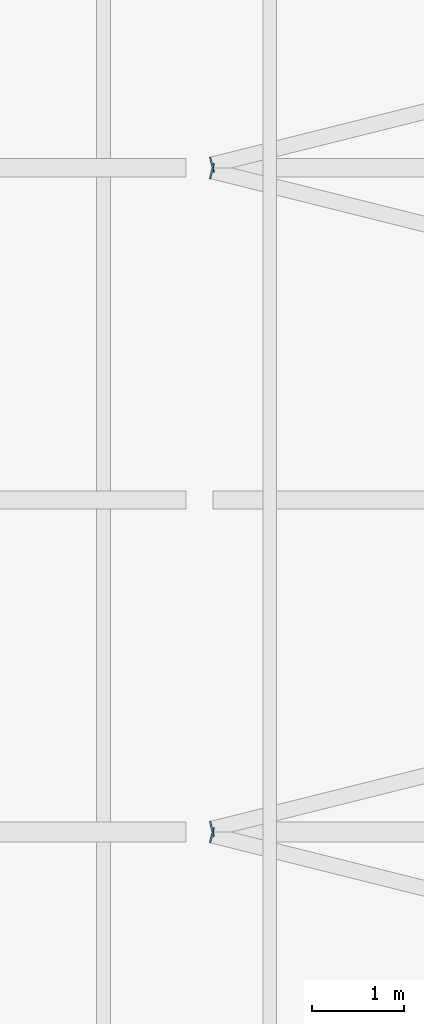
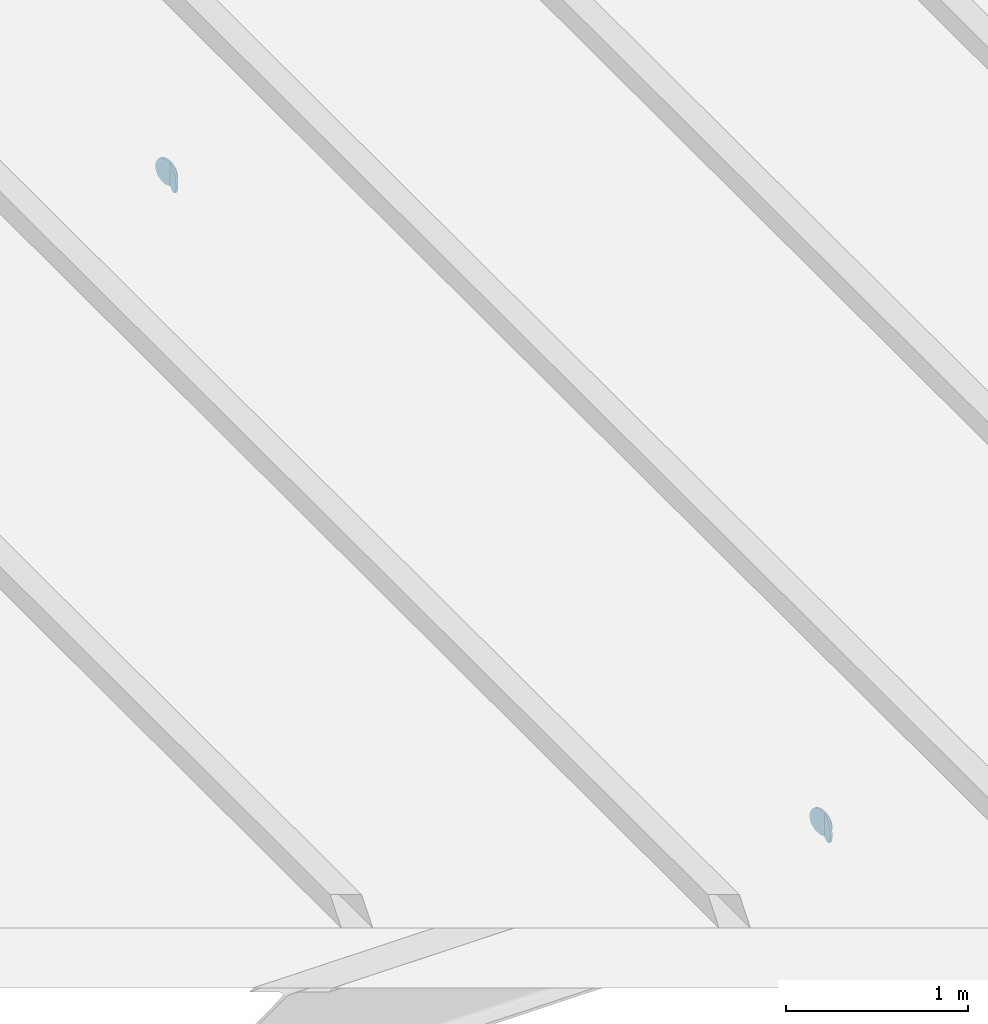
# One storey, part 110 of 120: 4 discrete accessories.
"""IFC4 building model written with IfcOpenShell, lengths in metres."""

from ifc_helpers import new_model, si_unit, direction, frame, origin, origin_2d, place, context, subcontext, project, spatial, circle, extrude, material, layer, layer_set, type_object, element, save


model = new_model("IFC4")

# Units and contexts
model_context = context("Model", 3, precision=1e-05, world=origin(), true_north=direction((0.0, 1.0)))
body_context = subcontext(model_context, "Body", "Model", "MODEL_VIEW")
ifc_project = project(units=[si_unit("LENGTHUNIT", "METRE"), si_unit("AREAUNIT", "SQUARE_METRE"), si_unit("VOLUMEUNIT", "CUBIC_METRE"), si_unit("PLANEANGLEUNIT", "RADIAN"), si_unit("MASSUNIT", "GRAM", prefix="KILO")], contexts=[model_context])

# Site, building, storey
site_placement = place(None, origin())
site = spatial("IfcSite", under=ifc_project, at=site_placement, CompositionType="ELEMENT")
building_placement = place(site_placement, origin())
building = spatial("IfcBuilding", under=site, at=building_placement, Name="Kupolbacken Congress Centre", CompositionType="ELEMENT")
storey_placement = place(building_placement, frame((0.0, 0.0, 21.60009765625)))
storey = spatial("IfcBuildingStorey", under=building, at=storey_placement, Name="L06", CompositionType="ELEMENT", Elevation=21.60009765625)

# Discrete accessories
ifc_material = material(Name="Steel S355", Category="steel")
ifc_layer = layer(ifc_material, 0.011962890625)
ifc_layer_set = layer_set([ifc_layer], Name="Steel S355")
discrete_accessory_type = type_object("IfcDiscreteAccessoryType", Name="EC2 tube end cap plate 168 dia x 12", PredefinedType="BRACKET", material=ifc_layer_set)
for number, where, z_axis, x_axis, name in (
    (1, (180.140625, 104.36474609375, -0.084228515625), (-0.970142500145, 0.242535625036, 0.0), (-0.242535625036, -0.970142500145, 0.0), "End cap plate HR/RB/07-16 B"),
    (2, (180.140625, 104.435302734375, -0.084228515625), (-0.970142500145, -0.242535625036, 0.0), (0.242535625036, -0.970142500145, 0.0), "End cap plate HR/RB/07-17 A"),
    (3, (180.140625, 111.564697265625, -0.084228515625), (-0.970142500145, 0.242535625036, 0.0), (-0.242535625036, -0.970142500145, 0.0), "End cap plate HR/RB/07-18 B"),
    (4, (180.140625, 111.63525390625, -0.084228515625), (-0.970142500145, -0.242535625036, 0.0), (0.242535625036, -0.970142500145, 0.0), "End cap plate HR/RB/07-19 A"),
):
    element("IfcDiscreteAccessory", number, at=place(storey_placement, frame(where, z_axis=z_axis, x_axis=x_axis)), inside=storey, type_object=discrete_accessory_type, Name=name, PredefinedType="BRACKET", context=body_context, shape_type="SweptSolid", body=[
        extrude(circle(Radius=0.084228515625, at=origin_2d()), origin(), (0.0, 0.0, 1.0), 0.011962890625),
    ])

save(model, "model.ifc")
